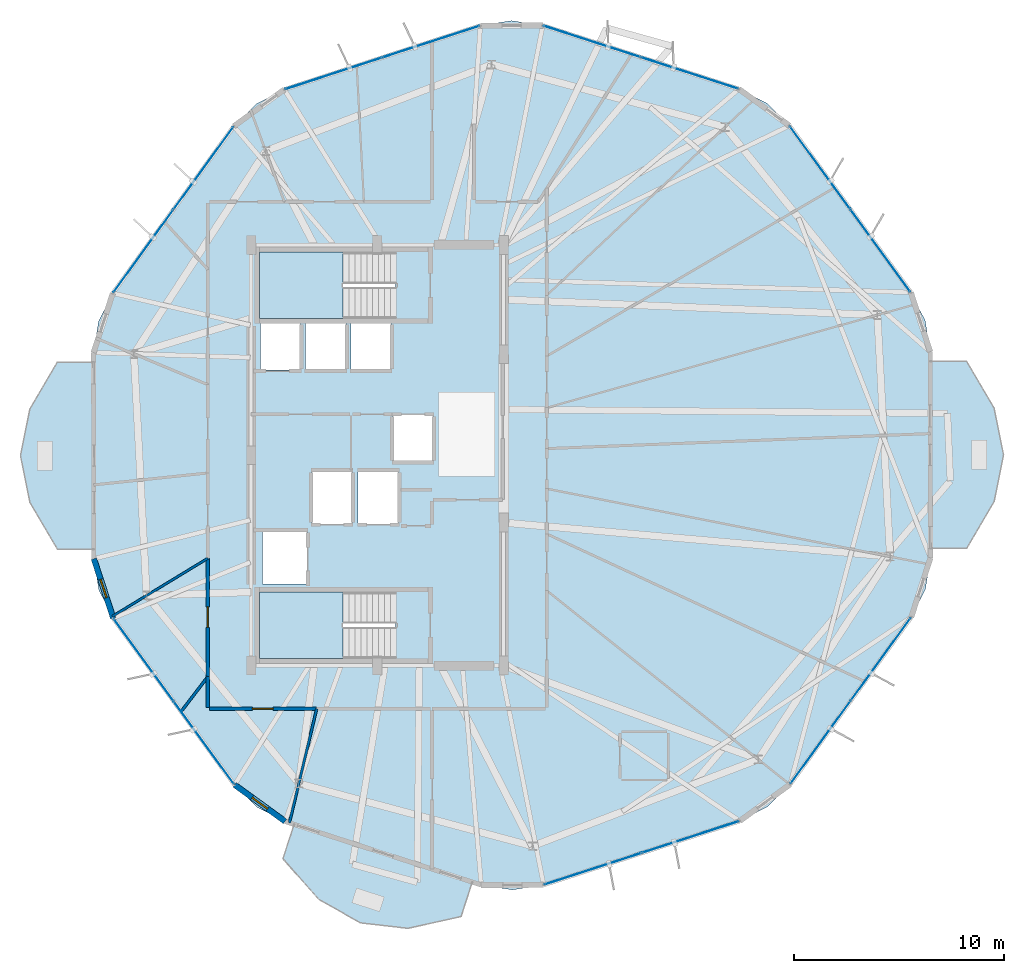
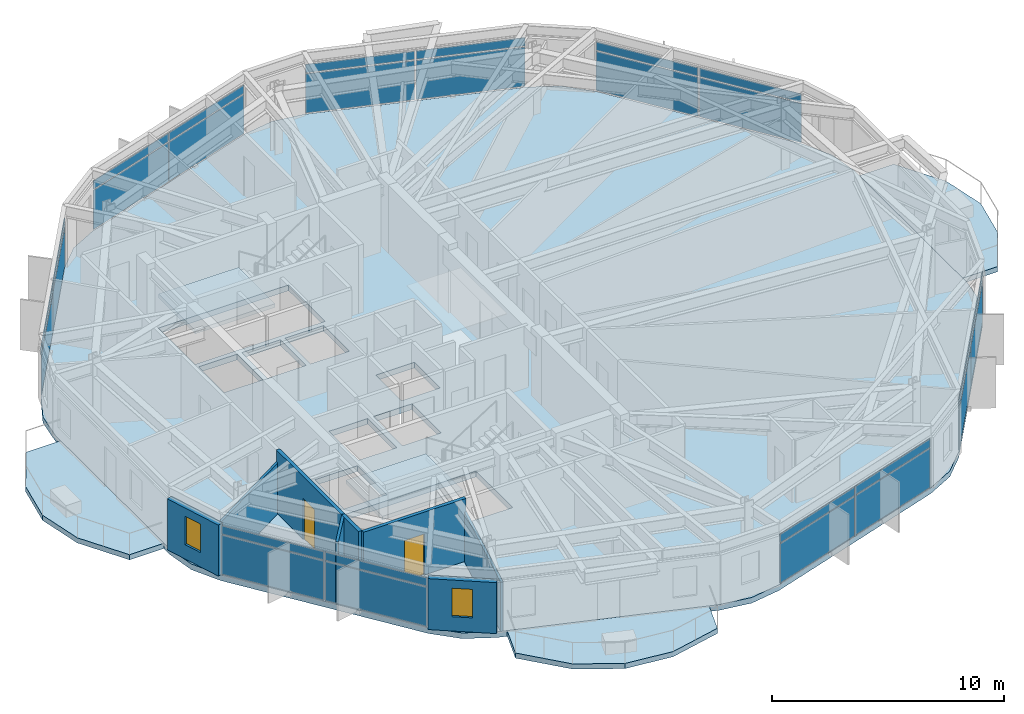
# One storey, part 24 of 31: 28 plates, 8 walls, 6 slabs, 2 doors, 2 windows, 4 openings, 9 elements without a shape of their own.
"""IFC4 building model written with IfcOpenShell, lengths in metres."""

from ifc_helpers import new_model, si_unit, direction, frame, frame_2d, origin, origin_2d, place, context, subcontext, project, spatial, polyline, rectangle, outline, extrude, material, layer, layer_set, type_object, element, fill, aggregate, save


model = new_model("IFC4")

# Units and contexts
model_context = context("Model", 3, precision=1e-05, world=origin(), true_north=direction((0.0, 1.0)))
body_context = subcontext(model_context, "Body", "Model", "MODEL_VIEW")
ifc_project = project(units=[si_unit("LENGTHUNIT", "METRE"), si_unit("AREAUNIT", "SQUARE_METRE"), si_unit("VOLUMEUNIT", "CUBIC_METRE"), si_unit("PLANEANGLEUNIT", "RADIAN"), si_unit("MASSUNIT", "GRAM", prefix="KILO")], contexts=[model_context])

# Site, building, storey
site_placement = place(None, origin())
site = spatial("IfcSite", under=ifc_project, at=site_placement, CompositionType="ELEMENT")
building_placement = place(site_placement, origin())
building = spatial("IfcBuilding", under=site, at=building_placement, Name="Soratama Intermodal Tower", CompositionType="ELEMENT")
storey_placement = place(building_placement, frame((0.0, 0.0, 230.199951171875)))
storey = spatial("IfcBuildingStorey", under=building, at=storey_placement, Name="L58", CompositionType="ELEMENT", Elevation=230.199951171875)

# Curtain wall, plates
ifc_material_1 = material(Name="Double-glazed aluminium curtain wall", Category="aluminium")
ifc_layer_1 = layer(ifc_material_1, 0.159912109375)
ifc_layer_set_1 = layer_set([ifc_layer_1], Name="Double-glazed aluminium curtain wall")
curtain_wall_type = type_object("IfcCurtainWallType", Name="CW-SYS-5", PredefinedType="NOTDEFINED", material=ifc_layer_set_1)
curtain_wall_1_placement = place(storey_placement, origin())
curtain_wall_1 = element("IfcCurtainWall", 1, at=curtain_wall_1_placement, inside=storey, type_object=curtain_wall_type, Name="L58 Faceted Curtain Wall F01", PredefinedType="NOTDEFINED")
ifc_material_2 = material(Name="Low-E laminated double glazing", Category="glass")
ifc_layer_2 = layer(ifc_material_2, 0.02001953125)
ifc_layer_set_2 = layer_set([ifc_layer_2], Name="Low-E laminated double glazing")
plate_type = type_object("IfcPlateType", Name="PT-CWP-5", PredefinedType="CURTAIN_PANEL", material=ifc_layer_set_2)
plate_1_placement = place(storey_placement, frame((53.438720703125, 43.160888671875, 0.06005859375), z_axis=(0.0, 0.0, 1.0), x_axis=(-0.951379173887, 0.308022186692, 0.0)))
plate_1 = element("IfcPlate", 2, at=plate_1_placement, type_object=plate_type, Name="CW-5 panel 1.1", PredefinedType="CURTAIN_PANEL", context=body_context, shape_type="SweptSolid", body=[
    extrude(rectangle(XDim=4.808837890625, YDim=0.028076171875, at=origin_2d()), origin(), (0.0, 0.0, 1.0), 2.06005859375),
])
plate_2_placement = place(storey_placement, frame((53.438720703125, 43.160888671875, 2.18017578125), z_axis=(0.0, 0.0, 1.0), x_axis=(-0.951379173887, 0.308022186692, 0.0)))
plate_2 = element("IfcPlate", 3, at=plate_2_placement, type_object=plate_type, Name="CW-5 panel 1.2", PredefinedType="CURTAIN_PANEL", context=body_context, shape_type="SweptSolid", body=[
    extrude(rectangle(XDim=4.808837890625, YDim=0.028076171875, at=origin_2d()), origin(), (0.0, 0.0, 1.0), 0.43896484375),
])
plate_3_placement = place(storey_placement, frame((48.806396484375, 44.660400390625, 0.06005859375), z_axis=(0.0, 0.0, 1.0), x_axis=(-0.951379173887, 0.308022186692, 0.0)))
plate_3 = element("IfcPlate", 4, at=plate_3_placement, type_object=plate_type, Name="CW-5 panel 2.1", PredefinedType="CURTAIN_PANEL", context=body_context, shape_type="SweptSolid", body=[
    extrude(rectangle(XDim=4.808837890625, YDim=0.028076171875, at=origin_2d()), origin(), (0.0, 0.0, 1.0), 2.06005859375),
])
plate_4_placement = place(storey_placement, frame((48.806396484375, 44.660400390625, 2.18017578125), z_axis=(0.0, 0.0, 1.0), x_axis=(-0.951379173887, 0.308022186692, 0.0)))
plate_4 = element("IfcPlate", 5, at=plate_4_placement, type_object=plate_type, Name="CW-5 panel 2.2", PredefinedType="CURTAIN_PANEL", context=body_context, shape_type="SweptSolid", body=[
    extrude(rectangle(XDim=4.808837890625, YDim=0.028076171875, at=origin_2d()), origin(), (0.0, 0.0, 1.0), 0.43896484375),
])
aggregate(curtain_wall_1, [plate_1, plate_2, plate_3, plate_4])

curtain_wall_2_placement = place(storey_placement, origin())
curtain_wall_2 = element("IfcCurtainWall", 6, at=curtain_wall_2_placement, inside=storey, type_object=curtain_wall_type, Name="L58 Faceted Curtain Wall F02", PredefinedType="NOTDEFINED")
plate_5_placement = place(storey_placement, frame((41.15234375, 44.652587890625, 0.06005859375), z_axis=(0.0, 0.0, 1.0), x_axis=(-0.950731866822, -0.310014382585, 0.0)))
plate_5 = element("IfcPlate", 7, at=plate_5_placement, type_object=plate_type, Name="CW-5 panel 1.1", PredefinedType="CURTAIN_PANEL", context=body_context, shape_type="SweptSolid", body=[
    extrude(rectangle(XDim=4.808837890625, YDim=0.028076171875, at=origin_2d()), origin(), (0.0, 0.0, 1.0), 2.06005859375),
])
plate_6_placement = place(storey_placement, frame((41.15234375, 44.652587890625, 2.18017578125), z_axis=(0.0, 0.0, 1.0), x_axis=(-0.950731866822, -0.310014382585, 0.0)))
plate_6 = element("IfcPlate", 8, at=plate_6_placement, type_object=plate_type, Name="CW-5 panel 1.2", PredefinedType="CURTAIN_PANEL", context=body_context, shape_type="SweptSolid", body=[
    extrude(rectangle(XDim=4.808837890625, YDim=0.028076171875, at=origin_2d()), origin(), (0.0, 0.0, 1.0), 0.43896484375),
])
plate_7_placement = place(storey_placement, frame((36.5234375, 43.14306640625, 0.06005859375), z_axis=(0.0, 0.0, 1.0), x_axis=(-0.950731866822, -0.310014382585, 0.0)))
plate_7 = element("IfcPlate", 9, at=plate_7_placement, type_object=plate_type, Name="CW-5 panel 2.1", PredefinedType="CURTAIN_PANEL", context=body_context, shape_type="SweptSolid", body=[
    extrude(rectangle(XDim=4.808837890625, YDim=0.028076171875, at=origin_2d()), origin(), (0.0, 0.0, 1.0), 2.06005859375),
])
plate_8_placement = place(storey_placement, frame((36.5234375, 43.14306640625, 2.18017578125), z_axis=(0.0, 0.0, 1.0), x_axis=(-0.950731866822, -0.310014382585, 0.0)))
plate_8 = element("IfcPlate", 10, at=plate_8_placement, type_object=plate_type, Name="CW-5 panel 2.2", PredefinedType="CURTAIN_PANEL", context=body_context, shape_type="SweptSolid", body=[
    extrude(rectangle(XDim=4.808837890625, YDim=0.028076171875, at=origin_2d()), origin(), (0.0, 0.0, 1.0), 0.43896484375),
])
aggregate(curtain_wall_2, [plate_5, plate_6, plate_7, plate_8])

curtain_wall_3_placement = place(storey_placement, origin())
curtain_wall_3 = element("IfcCurtainWall", 11, at=curtain_wall_3_placement, inside=storey, type_object=curtain_wall_type, Name="L58 Faceted Curtain Wall F03", PredefinedType="NOTDEFINED")
plate_9_placement = place(storey_placement, frame((30.335693359375, 38.6376953125, 0.06005859375), z_axis=(0.0, 0.0, 1.0), x_axis=(-0.586936629492, -0.80963287542, 0.0)))
plate_9 = element("IfcPlate", 12, at=plate_9_placement, type_object=plate_type, Name="CW-5 panel 1.1", PredefinedType="CURTAIN_PANEL", context=body_context, shape_type="SweptSolid", body=[
    extrude(rectangle(XDim=4.808837890625, YDim=0.028076171875, at=origin_2d()), origin(), (0.0, 0.0, 1.0), 2.06005859375),
])
plate_10_placement = place(storey_placement, frame((30.335693359375, 38.6376953125, 2.18017578125), z_axis=(0.0, 0.0, 1.0), x_axis=(-0.586936629492, -0.80963287542, 0.0)))
plate_10 = element("IfcPlate", 13, at=plate_10_placement, type_object=plate_type, Name="CW-5 panel 1.2", PredefinedType="CURTAIN_PANEL", context=body_context, shape_type="SweptSolid", body=[
    extrude(rectangle(XDim=4.808837890625, YDim=0.028076171875, at=origin_2d()), origin(), (0.0, 0.0, 1.0), 0.43896484375),
])
plate_11_placement = place(storey_placement, frame((27.47802734375, 34.695556640625, 0.06005859375), z_axis=(0.0, 0.0, 1.0), x_axis=(-0.586936629492, -0.80963287542, 0.0)))
plate_11 = element("IfcPlate", 14, at=plate_11_placement, type_object=plate_type, Name="CW-5 panel 2.1", PredefinedType="CURTAIN_PANEL", context=body_context, shape_type="SweptSolid", body=[
    extrude(rectangle(XDim=4.808837890625, YDim=0.028076171875, at=origin_2d()), origin(), (0.0, 0.0, 1.0), 2.06005859375),
])
plate_12_placement = place(storey_placement, frame((27.47802734375, 34.695556640625, 2.18017578125), z_axis=(0.0, 0.0, 1.0), x_axis=(-0.586936629492, -0.80963287542, 0.0)))
plate_12 = element("IfcPlate", 15, at=plate_12_placement, type_object=plate_type, Name="CW-5 panel 2.2", PredefinedType="CURTAIN_PANEL", context=body_context, shape_type="SweptSolid", body=[
    extrude(rectangle(XDim=4.808837890625, YDim=0.028076171875, at=origin_2d()), origin(), (0.0, 0.0, 1.0), 0.43896484375),
])
aggregate(curtain_wall_3, [plate_9, plate_10, plate_11, plate_12])

curtain_wall_4_placement = place(storey_placement, origin())
curtain_wall_4 = element("IfcCurtainWall", 16, at=curtain_wall_4_placement, inside=storey, type_object=curtain_wall_type, Name="L58 Faceted Curtain Wall F05", PredefinedType="NOTDEFINED")
plate_13_placement = place(storey_placement, frame((27.498291015625, 15.267578125, 0.06005859375), z_axis=(0.0, 0.0, 1.0), x_axis=(0.588639498323, -0.808395658706, 0.0)))
plate_13 = element("IfcPlate", 17, at=plate_13_placement, type_object=plate_type, Name="CW-5 panel 1.1", PredefinedType="CURTAIN_PANEL", context=body_context, shape_type="SweptSolid", body=[
    extrude(rectangle(XDim=4.808837890625, YDim=0.028076171875, at=origin_2d()), origin(), (0.0, 0.0, 1.0), 2.06005859375),
])
plate_14_placement = place(storey_placement, frame((27.498291015625, 15.267578125, 2.18017578125), z_axis=(0.0, 0.0, 1.0), x_axis=(0.588639498323, -0.808395658706, 0.0)))
plate_14 = element("IfcPlate", 18, at=plate_14_placement, type_object=plate_type, Name="CW-5 panel 1.2", PredefinedType="CURTAIN_PANEL", context=body_context, shape_type="SweptSolid", body=[
    extrude(rectangle(XDim=4.808837890625, YDim=0.028076171875, at=origin_2d()), origin(), (0.0, 0.0, 1.0), 0.43896484375),
])
plate_15_placement = place(storey_placement, frame((30.3642578125, 11.331787109375, 0.06005859375), z_axis=(0.0, 0.0, 1.0), x_axis=(0.588639498323, -0.808395658706, 0.0)))
plate_15 = element("IfcPlate", 19, at=plate_15_placement, type_object=plate_type, Name="CW-5 panel 2.1", PredefinedType="CURTAIN_PANEL", context=body_context, shape_type="SweptSolid", body=[
    extrude(rectangle(XDim=4.808837890625, YDim=0.028076171875, at=origin_2d()), origin(), (0.0, 0.0, 1.0), 2.06005859375),
])
plate_16_placement = place(storey_placement, frame((30.3642578125, 11.331787109375, 2.18017578125), z_axis=(0.0, 0.0, 1.0), x_axis=(0.588639498323, -0.808395658706, 0.0)))
plate_16 = element("IfcPlate", 20, at=plate_16_placement, type_object=plate_type, Name="CW-5 panel 2.2", PredefinedType="CURTAIN_PANEL", context=body_context, shape_type="SweptSolid", body=[
    extrude(rectangle(XDim=4.808837890625, YDim=0.028076171875, at=origin_2d()), origin(), (0.0, 0.0, 1.0), 0.43896484375),
])
aggregate(curtain_wall_4, [plate_13, plate_14, plate_15, plate_16])

curtain_wall_5_placement = place(storey_placement, origin())
curtain_wall_5 = element("IfcCurtainWall", 21, at=curtain_wall_5_placement, inside=storey, type_object=curtain_wall_type, Name="L58 Faceted Curtain Wall F07", PredefinedType="NOTDEFINED")
plate_17_placement = place(storey_placement, frame((48.84765625, 5.347412109375, 0.06005859375), z_axis=(0.0, 0.0, 1.0), x_axis=(0.950731866822, 0.310014382585, 0.0)))
plate_17 = element("IfcPlate", 22, at=plate_17_placement, type_object=plate_type, Name="CW-5 panel 1.1", PredefinedType="CURTAIN_PANEL", context=body_context, shape_type="SweptSolid", body=[
    extrude(rectangle(XDim=4.808837890625, YDim=0.028076171875, at=origin_2d()), origin(), (0.0, 0.0, 1.0), 2.06005859375),
])
plate_18_placement = place(storey_placement, frame((48.84765625, 5.347412109375, 2.18017578125), z_axis=(0.0, 0.0, 1.0), x_axis=(0.950731866822, 0.310014382585, 0.0)))
plate_18 = element("IfcPlate", 23, at=plate_18_placement, type_object=plate_type, Name="CW-5 panel 1.2", PredefinedType="CURTAIN_PANEL", context=body_context, shape_type="SweptSolid", body=[
    extrude(rectangle(XDim=4.808837890625, YDim=0.028076171875, at=origin_2d()), origin(), (0.0, 0.0, 1.0), 0.43896484375),
])
plate_19_placement = place(storey_placement, frame((53.4765625, 6.85693359375, 0.06005859375), z_axis=(0.0, 0.0, 1.0), x_axis=(0.950731866822, 0.310014382585, 0.0)))
plate_19 = element("IfcPlate", 24, at=plate_19_placement, type_object=plate_type, Name="CW-5 panel 2.1", PredefinedType="CURTAIN_PANEL", context=body_context, shape_type="SweptSolid", body=[
    extrude(rectangle(XDim=4.808837890625, YDim=0.028076171875, at=origin_2d()), origin(), (0.0, 0.0, 1.0), 2.06005859375),
])
plate_20_placement = place(storey_placement, frame((53.4765625, 6.85693359375, 2.18017578125), z_axis=(0.0, 0.0, 1.0), x_axis=(0.950731866822, 0.310014382585, 0.0)))
plate_20 = element("IfcPlate", 25, at=plate_20_placement, type_object=plate_type, Name="CW-5 panel 2.2", PredefinedType="CURTAIN_PANEL", context=body_context, shape_type="SweptSolid", body=[
    extrude(rectangle(XDim=4.808837890625, YDim=0.028076171875, at=origin_2d()), origin(), (0.0, 0.0, 1.0), 0.43896484375),
])
aggregate(curtain_wall_5, [plate_17, plate_18, plate_19, plate_20])

curtain_wall_6_placement = place(storey_placement, origin())
curtain_wall_6 = element("IfcCurtainWall", 26, at=curtain_wall_6_placement, inside=storey, type_object=curtain_wall_type, Name="L58 Faceted Curtain Wall F08", PredefinedType="NOTDEFINED")
plate_21_placement = place(storey_placement, frame((59.664306640625, 11.3623046875, 0.06005859375), z_axis=(0.0, 0.0, 1.0), x_axis=(0.586936629492, 0.80963287542, 0.0)))
plate_21 = element("IfcPlate", 27, at=plate_21_placement, type_object=plate_type, Name="CW-5 panel 1.1", PredefinedType="CURTAIN_PANEL", context=body_context, shape_type="SweptSolid", body=[
    extrude(rectangle(XDim=4.808837890625, YDim=0.028076171875, at=origin_2d()), origin(), (0.0, 0.0, 1.0), 2.06005859375),
])
plate_22_placement = place(storey_placement, frame((59.664306640625, 11.3623046875, 2.18017578125), z_axis=(0.0, 0.0, 1.0), x_axis=(0.586936629492, 0.80963287542, 0.0)))
plate_22 = element("IfcPlate", 28, at=plate_22_placement, type_object=plate_type, Name="CW-5 panel 1.2", PredefinedType="CURTAIN_PANEL", context=body_context, shape_type="SweptSolid", body=[
    extrude(rectangle(XDim=4.808837890625, YDim=0.028076171875, at=origin_2d()), origin(), (0.0, 0.0, 1.0), 0.43896484375),
])
plate_23_placement = place(storey_placement, frame((62.52197265625, 15.304443359375, 0.06005859375), z_axis=(0.0, 0.0, 1.0), x_axis=(0.586936629492, 0.80963287542, 0.0)))
plate_23 = element("IfcPlate", 29, at=plate_23_placement, type_object=plate_type, Name="CW-5 panel 2.1", PredefinedType="CURTAIN_PANEL", context=body_context, shape_type="SweptSolid", body=[
    extrude(rectangle(XDim=4.808837890625, YDim=0.028076171875, at=origin_2d()), origin(), (0.0, 0.0, 1.0), 2.06005859375),
])
plate_24_placement = place(storey_placement, frame((62.52197265625, 15.304443359375, 2.18017578125), z_axis=(0.0, 0.0, 1.0), x_axis=(0.586936629492, 0.80963287542, 0.0)))
plate_24 = element("IfcPlate", 30, at=plate_24_placement, type_object=plate_type, Name="CW-5 panel 2.2", PredefinedType="CURTAIN_PANEL", context=body_context, shape_type="SweptSolid", body=[
    extrude(rectangle(XDim=4.808837890625, YDim=0.028076171875, at=origin_2d()), origin(), (0.0, 0.0, 1.0), 0.43896484375),
])
aggregate(curtain_wall_6, [plate_21, plate_22, plate_23, plate_24])

curtain_wall_7_placement = place(storey_placement, origin())
curtain_wall_7 = element("IfcCurtainWall", 31, at=curtain_wall_7_placement, inside=storey, type_object=curtain_wall_type, Name="L58 Faceted Curtain Wall F10", PredefinedType="NOTDEFINED")
plate_25_placement = place(storey_placement, frame((62.501708984375, 34.732421875, 0.06005859375), z_axis=(0.0, 0.0, 1.0), x_axis=(-0.588639498323, 0.808395658706, 0.0)))
plate_25 = element("IfcPlate", 32, at=plate_25_placement, type_object=plate_type, Name="CW-5 panel 1.1", PredefinedType="CURTAIN_PANEL", context=body_context, shape_type="SweptSolid", body=[
    extrude(rectangle(XDim=4.808837890625, YDim=0.028076171875, at=origin_2d()), origin(), (0.0, 0.0, 1.0), 2.06005859375),
])
plate_26_placement = place(storey_placement, frame((62.501708984375, 34.732421875, 2.18017578125), z_axis=(0.0, 0.0, 1.0), x_axis=(-0.588639498323, 0.808395658706, 0.0)))
plate_26 = element("IfcPlate", 33, at=plate_26_placement, type_object=plate_type, Name="CW-5 panel 1.2", PredefinedType="CURTAIN_PANEL", context=body_context, shape_type="SweptSolid", body=[
    extrude(rectangle(XDim=4.808837890625, YDim=0.028076171875, at=origin_2d()), origin(), (0.0, 0.0, 1.0), 0.43896484375),
])
plate_27_placement = place(storey_placement, frame((59.6357421875, 38.668212890625, 0.06005859375), z_axis=(0.0, 0.0, 1.0), x_axis=(-0.588639498323, 0.808395658706, 0.0)))
plate_27 = element("IfcPlate", 34, at=plate_27_placement, type_object=plate_type, Name="CW-5 panel 2.1", PredefinedType="CURTAIN_PANEL", context=body_context, shape_type="SweptSolid", body=[
    extrude(rectangle(XDim=4.808837890625, YDim=0.028076171875, at=origin_2d()), origin(), (0.0, 0.0, 1.0), 2.06005859375),
])
plate_28_placement = place(storey_placement, frame((59.6357421875, 38.668212890625, 2.18017578125), z_axis=(0.0, 0.0, 1.0), x_axis=(-0.588639498323, 0.808395658706, 0.0)))
plate_28 = element("IfcPlate", 35, at=plate_28_placement, type_object=plate_type, Name="CW-5 panel 2.2", PredefinedType="CURTAIN_PANEL", context=body_context, shape_type="SweptSolid", body=[
    extrude(rectangle(XDim=4.808837890625, YDim=0.028076171875, at=origin_2d()), origin(), (0.0, 0.0, 1.0), 0.43896484375),
])
aggregate(curtain_wall_7, [plate_25, plate_26, plate_27, plate_28])

# Slabs
ifc_material_3 = material(Name="Concrete f'c 42 MPa", Category="concrete")
ifc_layer_3 = layer(ifc_material_3, 0.27001953125)
ifc_layer_set_3 = layer_set([ifc_layer_3], Name="Concrete f'c 42 MPa")
slab_type_1 = type_object("IfcSlabType", Name="SL-EXT-BAL1", PredefinedType="FLOOR", material=ifc_layer_set_3)
slab_1_placement = place(storey_placement, frame((0.0, 0.0, -0.27001953125)))
element("IfcSlab", 36, at=slab_1_placement, inside=storey, type_object=slab_type_1, Name="L58 Planted Balcony East 1", PredefinedType="FLOOR", context=body_context, shape_type="SweptSolid", body=[
    extrude(outline(polyline([(64.881591796875, 20.572021484375), (64.872314453125, 29.4697265625), (66.59228515625, 29.471435546875), (67.905517578125, 27.24853515625), (68.35693359375, 25.0244140625), (67.910400390625, 22.799560546875), (66.601806640625, 20.57373046875), (64.881591796875, 20.572021484375)])), origin(), (0.0, 0.0, 1.0), 0.27001953125),
])
slab_2_placement = place(storey_placement, frame((0.0, 0.0, -0.27001953125)))
element("IfcSlab", 37, at=slab_2_placement, inside=storey, type_object=slab_type_1, Name="L58 Planted Balcony West 2", PredefinedType="FLOOR", context=body_context, shape_type="SweptSolid", body=[
    extrude(outline(polyline([(25.118408203125, 29.427978515625), (25.127685546875, 20.5302734375), (23.40771484375, 20.528564453125), (22.094482421875, 22.75146484375), (21.64306640625, 24.9755859375), (22.089599609375, 27.200439453125), (23.398193359375, 29.42626953125), (25.118408203125, 29.427978515625)])), origin(), (0.0, 0.0, 1.0), 0.27001953125),
])
slab_3_placement = place(storey_placement, frame((0.0, 0.0, -0.27001953125)))
element("IfcSlab", 38, at=slab_3_placement, inside=storey, type_object=slab_type_1, Name="L58 Planted Balcony South 3", PredefinedType="FLOOR", context=body_context, shape_type="SweptSolid", body=[
    extrude(outline(polyline([(34.64501953125, 7.459716796875), (43.110107421875, 4.718994140625), (42.580078125, 3.08251953125), (40.06005859375, 2.5205078125), (37.805419921875, 2.778564453125), (35.82763671875, 3.89111328125), (34.114990234375, 5.8232421875), (34.64501953125, 7.459716796875)])), origin(), (0.0, 0.0, 1.0), 0.27001953125),
])

# Stair, slab
ifc_material_4 = material(Name="Concrete f'c 42 MPa", Category="concrete")
stair_type = type_object("IfcStairType", Name="ST-CORE-DOGLEG", PredefinedType="HALF_TURN_STAIR", material=ifc_material_4)
stair_1_placement = place(storey_placement, origin())
stair_1 = element("IfcStair", 39, at=stair_1_placement, inside=storey, type_object=stair_type, Name="L58 ST-1", PredefinedType="HALF_TURN_STAIR")
ifc_material_5 = material(Name="Concrete f'c 42 MPa", Category="concrete")
ifc_layer_4 = layer(ifc_material_5, 0.219970703125)
ifc_layer_set_4 = layer_set([ifc_layer_4], Name="Concrete f'c 42 MPa")
slab_type_2 = type_object("IfcSlabType", Name="SL-STAIR-LAND", PredefinedType="LANDING", material=ifc_layer_set_4)
slab_4_placement = place(storey_placement, frame((0.0, 0.0, 1.60009765625)))
slab_4 = element("IfcSlab", 40, at=slab_4_placement, type_object=slab_type_2, Name="ST-1 landing 1", PredefinedType="LANDING", context=body_context, shape_type="SweptSolid", body=[
    extrude(outline(polyline([(36.97998046875, 18.5), (33.0, 18.5), (33.0, 15.35009765625), (36.97998046875, 15.35009765625), (36.97998046875, 18.5)])), origin(), (0.0, 0.0, 1.0), 0.199951171875),
])
aggregate(stair_1, [slab_4])

stair_2_placement = place(storey_placement, origin())
stair_2 = element("IfcStair", 41, at=stair_2_placement, inside=storey, type_object=stair_type, Name="L58 ST-2", PredefinedType="HALF_TURN_STAIR")
slab_5_placement = place(storey_placement, frame((0.0, 0.0, 1.60009765625)))
slab_5 = element("IfcSlab", 42, at=slab_5_placement, type_object=slab_type_2, Name="ST-2 landing 1", PredefinedType="LANDING", context=body_context, shape_type="SweptSolid", body=[
    extrude(outline(polyline([(36.97998046875, 34.64990234375), (33.0, 34.64990234375), (33.0, 31.5), (36.97998046875, 31.5), (36.97998046875, 34.64990234375)])), origin(), (0.0, 0.0, 1.0), 0.199951171875),
])
aggregate(stair_2, [slab_5])

# Slab
ifc_material_6 = material(Name="Concrete f'c 42 MPa", Category="concrete")
ifc_layer_5 = layer(ifc_material_6, 0.280029296875)
ifc_layer_set_5 = layer_set([ifc_layer_5], Name="Concrete f'c 42 MPa")
slab_type_3 = type_object("IfcSlabType", Name="SL-TWR-280", PredefinedType="FLOOR", material=ifc_layer_set_5)
slab_6_placement = place(storey_placement, frame((0.0, 0.0, -0.300048828125)))
element("IfcSlab", 43, at=slab_6_placement, inside=storey, type_object=slab_type_3, Name="L58 Structural Floor Slab", PredefinedType="FLOOR", context=body_context, shape_type="SweptSolid", body=[
    extrude(outline(polyline([(58.18505859375, 40.660400390625), (57.1220703125, 41.72119140625), (55.783203125, 42.401611328125), (46.4619140625, 45.419677734375), (44.978515625, 45.653076171875), (43.495361328125, 45.41650390625), (34.180419921875, 42.379150390625), (32.843017578125, 41.69580078125), (31.7822265625, 40.6328125), (26.031494140625, 32.700439453125), (25.351318359375, 31.361572265625), (25.117919921875, 29.8779296875), (25.128173828125, 20.080322265625), (25.364501953125, 18.597412109375), (26.047607421875, 17.260009765625), (31.81494140625, 9.339599609375), (32.8779296875, 8.27880859375), (34.216796875, 7.598388671875), (43.5380859375, 4.580322265625), (45.021484375, 4.346923828125), (46.504638671875, 4.58349609375), (55.819580078125, 7.620849609375), (57.156982421875, 8.30419921875), (58.2177734375, 9.3671875), (63.968505859375, 17.299560546875), (64.648681640625, 18.638427734375), (64.882080078125, 20.1220703125), (64.871826171875, 29.919677734375), (64.635498046875, 31.402587890625), (63.952392578125, 32.739990234375), (58.18505859375, 40.660400390625)]), holes=[polyline([(33.0, 18.5), (33.0, 15.35009765625), (39.47509765625, 15.35009765625), (39.47509765625, 18.5), (33.0, 18.5)]), polyline([(35.260009765625, 21.409912109375), (33.139892578125, 21.409912109375), (33.139892578125, 18.889892578125), (35.260009765625, 18.889892578125), (35.260009765625, 21.409912109375)]), polyline([(37.409912109375, 24.260009765625), (35.489990234375, 24.260009765625), (35.489990234375, 21.739990234375), (37.409912109375, 21.739990234375), (37.409912109375, 24.260009765625)]), polyline([(39.610107421875, 24.260009765625), (37.68994140625, 24.260009765625), (37.68994140625, 21.739990234375), (39.610107421875, 21.739990234375), (39.610107421875, 24.260009765625)]), polyline([(41.260009765625, 26.909912109375), (39.340087890625, 26.909912109375), (39.340087890625, 24.68994140625), (41.260009765625, 24.68994140625), (41.260009765625, 26.909912109375)]), polyline([(34.9599609375, 31.260009765625), (33.0400390625, 31.260009765625), (33.0400390625, 29.0400390625), (34.9599609375, 29.0400390625), (34.9599609375, 31.260009765625)]), polyline([(37.110107421875, 31.260009765625), (35.18994140625, 31.260009765625), (35.18994140625, 29.0400390625), (37.110107421875, 29.0400390625), (37.110107421875, 31.260009765625)]), polyline([(39.260009765625, 29.0400390625), (39.260009765625, 31.260009765625), (37.340087890625, 31.260009765625), (37.340087890625, 29.0400390625), (39.260009765625, 29.0400390625)]), polyline([(39.47509765625, 34.64990234375), (33.0, 34.64990234375), (33.0, 31.5), (39.47509765625, 31.5), (39.47509765625, 34.64990234375)])]), origin(), (0.0, 0.0, 1.0), 0.300048828125),
])

# Wall, opening, window
ifc_material_7 = material(Name="Concrete f'c 42 MPa", Category="concrete")
ifc_layer_6 = layer(ifc_material_7, 0.27001953125)
ifc_layer_set_6 = layer_set([ifc_layer_6], Name="Concrete f'c 42 MPa")
wall_type_1 = type_object("IfcWallType", Name="EW-CRN-270", PredefinedType="SOLIDWALL", material=ifc_layer_set_6)
wall_1_placement = place(storey_placement, frame((25.128173828125, 20.080322265625, 0.0), z_axis=(0.0, 0.0, 1.0), x_axis=(0.309949441634, -0.950753040295, 0.0)))
wall_1 = element("IfcWall", 44, at=wall_1_placement, inside=storey, type_object=wall_type_1, Name="L58 Corner Closure Wall 04", PredefinedType="SOLIDWALL", context=body_context, shape_type="SweptSolid", body=[
    extrude(rectangle(XDim=2.96630859375, YDim=0.27001953125, at=frame_2d((1.483154296875, 0.0))), origin(), (0.0, 0.0, 1.0), 2.678955078125),
])
opening_1_placement = place(wall_1_placement, frame((1.033203125, 0.0, 0.75)))
opening_1 = element("IfcOpeningElement", 45, at=opening_1_placement, cuts=wall_1, Name="Opening WN-6", PredefinedType="OPENING", context=body_context, shape_type="SweptSolid", body=[
    extrude(rectangle(XDim=0.89990234375, YDim=1.5, at=frame_2d((0.449951171875, 0.75))), frame((0.0, 0.14501953125, 0.0), z_axis=(0.0, -1.0, 0.0), x_axis=(1.0, 0.0, 0.0)), (0.0, 0.0, 1.0), 0.2900390625),
])
ifc_material_8 = material(Name="Double-glazed aluminium window", Category="aluminium")
window_type = type_object("IfcWindowType", Name="WN-FAC-900", PartitioningType="SINGLE_PANEL", PredefinedType="WINDOW", material=ifc_material_8)
window_1_placement = place(opening_1_placement, origin())
window_1 = element("IfcWindow", 46, at=window_1_placement, inside=storey, type_object=window_type, Name="L58 Corner Window 04", OverallHeight=1.5, OverallWidth=0.89990234375, PartitioningType="SINGLE_PANEL", PredefinedType="WINDOW", context=body_context, shape_type="SweptSolid", body=[
    extrude(rectangle(XDim=0.89990234375, YDim=1.5, at=frame_2d((0.449951171875, 0.75))), frame((0.0, 0.030029296875, 0.0), z_axis=(0.0, -1.0, 0.0), x_axis=(1.0, 0.0, 0.0)), (0.0, 0.0, 1.0), 0.06005859375),
])
fill(opening_1, window_1)

wall_2_placement = place(storey_placement, frame((31.81494140625, 9.339599609375, 0.0), z_axis=(0.0, 0.0, 1.0), x_axis=(0.809631952519, -0.586937902558, 0.0)))
wall_2 = element("IfcWall", 47, at=wall_2_placement, inside=storey, type_object=wall_type_1, Name="L58 Corner Closure Wall 05", PredefinedType="SOLIDWALL", context=body_context, shape_type="SweptSolid", body=[
    extrude(rectangle(XDim=2.966552734375, YDim=0.27001953125, at=frame_2d((1.4833984375, 0.0))), origin(), (0.0, 0.0, 1.0), 2.678955078125),
])
opening_2_placement = place(wall_2_placement, frame((1.033203125, 0.0, 0.75)))
opening_2 = element("IfcOpeningElement", 48, at=opening_2_placement, cuts=wall_2, Name="Opening WN-6", PredefinedType="OPENING", context=body_context, shape_type="SweptSolid", body=[
    extrude(rectangle(XDim=0.89990234375, YDim=1.5, at=frame_2d((0.449951171875, 0.75))), frame((0.0, 0.14501953125, 0.0), z_axis=(0.0, -1.0, 0.0), x_axis=(1.0, 0.0, 0.0)), (0.0, 0.0, 1.0), 0.2900390625),
])
window_2_placement = place(opening_2_placement, origin())
window_2 = element("IfcWindow", 49, at=window_2_placement, inside=storey, type_object=window_type, Name="L58 Corner Window 05", OverallHeight=1.5, OverallWidth=0.89990234375, PartitioningType="SINGLE_PANEL", PredefinedType="WINDOW", context=body_context, shape_type="SweptSolid", body=[
    extrude(rectangle(XDim=0.89990234375, YDim=1.5, at=frame_2d((0.449951171875, 0.75))), frame((0.0, 0.030029296875, 0.0), z_axis=(0.0, -1.0, 0.0), x_axis=(1.0, 0.0, 0.0)), (0.0, 0.0, 1.0), 0.06005859375),
])
fill(opening_2, window_2)

# Wall, opening, door
ifc_material_9 = material(Name="Fire-rated gypsum stud partition", Category="concrete")
ifc_layer_7 = layer(ifc_material_9, 0.169921875)
ifc_layer_set_7 = layer_set([ifc_layer_7], Name="Fire-rated gypsum stud partition")
wall_type_2 = type_object("IfcWallType", Name="IW-PART-R170", PredefinedType="PARTITIONING", material=ifc_layer_set_7)
wall_3_placement = place(storey_placement, frame((30.550048828125, 14.485107421875, 0.0), z_axis=(0.0, 0.0, 1.0), x_axis=(0.0, 1.0, 0.0)))
wall_3 = element("IfcWall", 50, at=wall_3_placement, inside=storey, type_object=wall_type_2, Name="L58 Partition W-L58-TP014", PredefinedType="PARTITIONING", context=body_context, shape_type="SweptSolid", body=[
    extrude(rectangle(XDim=5.620849609375, YDim=0.169921875, at=frame_2d((2.810546875, 0.0))), origin(), (0.0, 0.0, 1.0), 3.300048828125),
])
opening_3_placement = place(wall_3_placement, frame((2.3359375, 0.0, 0.0)))
opening_3 = element("IfcOpeningElement", 51, at=opening_3_placement, cuts=wall_3, Name="Opening ID-5", PredefinedType="OPENING", context=body_context, shape_type="SweptSolid", body=[
    extrude(rectangle(XDim=0.97998046875, YDim=2.14990234375, at=frame_2d((0.489990234375, 1.074951171875))), frame((0.0, 0.094970703125, 0.0), z_axis=(0.0, -1.0, 0.0), x_axis=(1.0, 0.0, 0.0)), (0.0, 0.0, 1.0), 0.18994140625),
])
ifc_material_10 = material(Name="Solid hardwood acoustic door", Category="wood")
door_type = type_object("IfcDoorType", Name="DR-OFF-980", OperationType="NOTDEFINED", PredefinedType="DOOR", material=ifc_material_10)
door_1_placement = place(opening_3_placement, origin())
door_1 = element("IfcDoor", 52, at=door_1_placement, inside=storey, type_object=door_type, Name="L58 Door D-L58-TP004", OperationType="SINGLE_SWING_LEFT", OverallHeight=2.14990234375, OverallWidth=0.97998046875, PredefinedType="DOOR", context=body_context, shape_type="SweptSolid", body=[
    extrude(rectangle(XDim=0.97998046875, YDim=2.14990234375, at=frame_2d((0.489990234375, 1.074951171875))), frame((0.0, 0.02490234375, 0.0), z_axis=(0.0, -1.0, 0.0), x_axis=(1.0, 0.0, 0.0)), (0.0, 0.0, 1.0), 0.050048828125),
])
fill(opening_3, door_1)

wall_4_placement = place(storey_placement, frame((35.718994140625, 12.949951171875, 0.0), z_axis=(0.0, 0.0, 1.0), x_axis=(-1.0, 0.0, 0.0)))
wall_4 = element("IfcWall", 53, at=wall_4_placement, inside=storey, type_object=wall_type_2, Name="L58 Partition W-L58-TP022", PredefinedType="PARTITIONING", context=body_context, shape_type="SweptSolid", body=[
    extrude(rectangle(XDim=5.098876953125, YDim=0.169921875, at=frame_2d((2.54931640625, 0.0))), origin(), (0.0, 0.0, 1.0), 3.300048828125),
])
opening_4_placement = place(wall_4_placement, frame((2.074951171875, 0.0, 0.0)))
opening_4 = element("IfcOpeningElement", 54, at=opening_4_placement, cuts=wall_4, Name="Opening ID-5", PredefinedType="OPENING", context=body_context, shape_type="SweptSolid", body=[
    extrude(rectangle(XDim=0.97998046875, YDim=2.14990234375, at=frame_2d((0.489990234375, 1.074951171875))), frame((0.0, 0.094970703125, 0.0), z_axis=(0.0, -1.0, 0.0), x_axis=(1.0, 0.0, 0.0)), (0.0, 0.0, 1.0), 0.18994140625),
])
door_2_placement = place(opening_4_placement, origin())
door_2 = element("IfcDoor", 55, at=door_2_placement, inside=storey, type_object=door_type, Name="L58 Door D-L58-TP007", OperationType="SINGLE_SWING_RIGHT", OverallHeight=2.14990234375, OverallWidth=0.97998046875, PredefinedType="DOOR", context=body_context, shape_type="SweptSolid", body=[
    extrude(rectangle(XDim=0.97998046875, YDim=2.14990234375, at=frame_2d((0.489990234375, 1.074951171875))), frame((0.0, 0.02490234375, 0.0), z_axis=(0.0, -1.0, 0.0), x_axis=(1.0, 0.0, 0.0)), (0.0, 0.0, 1.0), 0.050048828125),
])
fill(opening_4, door_2)

# Walls
wall_5_placement = place(storey_placement, frame((30.550048828125, 13.02001953125, 0.0), z_axis=(0.0, 0.0, 1.0), x_axis=(0.0, 1.0, 0.0)))
element("IfcWall", 56, at=wall_5_placement, inside=storey, type_object=wall_type_2, Name="L58 Partition W-L58-TP048", PredefinedType="PARTITIONING", context=body_context, shape_type="SweptSolid", body=[
    extrude(rectangle(XDim=1.465087890625, YDim=0.169921875, at=frame_2d((0.732421875, 0.0))), origin(), (0.0, 0.0, 1.0), 3.300048828125),
])
ifc_material_11 = material(Name="Fire-rated gypsum stud partition", Category="concrete")
ifc_layer_8 = layer(ifc_material_11, 0.110107421875)
ifc_layer_set_8 = layer_set([ifc_layer_8], Name="Fire-rated gypsum stud partition")
wall_type_3 = type_object("IfcWallType", Name="IW-PART-S110", PredefinedType="PARTITIONING", material=ifc_layer_set_8)
wall_6_placement = place(storey_placement, frame((30.550048828125, 20.10595703125, 0.0), z_axis=(0.0, 0.0, 1.0), x_axis=(-0.854505962671, -0.519441584549, 0.0)))
element("IfcWall", 57, at=wall_6_placement, inside=storey, type_object=wall_type_3, Name="L58 Partition W-L58-TP021", PredefinedType="PARTITIONING", context=body_context, shape_type="SweptSolid", body=[
    extrude(rectangle(XDim=5.319091796875, YDim=0.110107421875, at=frame_2d((2.65966796875, 0.0))), origin(), (0.0, 0.0, 1.0), 2.677978515625),
])
ifc_material_12 = material(Name="Fire-rated gypsum stud partition", Category="concrete")
ifc_layer_9 = layer(ifc_material_12, 0.1201171875)
ifc_layer_set_9 = layer_set([ifc_layer_9], Name="Fire-rated gypsum stud partition")
wall_type_4 = type_object("IfcWallType", Name="IW-PART-S120", PredefinedType="PARTITIONING", material=ifc_layer_set_9)
wall_7_placement = place(storey_placement, frame((35.718994140625, 12.949951171875, 0.0), z_axis=(0.0, 0.0, 1.0), x_axis=(-0.232623679373, -0.972566822277, 0.0)))
element("IfcWall", 58, at=wall_7_placement, inside=storey, type_object=wall_type_4, Name="L58 Partition W-L58-TP015", PredefinedType="PARTITIONING", context=body_context, shape_type="SweptSolid", body=[
    extrude(rectangle(XDim=5.57080078125, YDim=0.1201171875, at=frame_2d((2.785400390625, 0.0))), origin(), (0.0, 0.0, 1.0), 2.594970703125),
])
ifc_material_13 = material(Name="Fire-rated gypsum stud partition", Category="concrete")
ifc_layer_10 = layer(ifc_material_13, 0.1298828125)
ifc_layer_set_10 = layer_set([ifc_layer_10], Name="Fire-rated gypsum stud partition")
wall_type_5 = type_object("IfcWallType", Name="IW-PART-S130", PredefinedType="PARTITIONING", material=ifc_layer_set_10)
wall_8_placement = place(storey_placement, frame((30.550048828125, 14.485107421875, 0.0), z_axis=(0.0, 0.0, 1.0), x_axis=(-0.607735830279, -0.794139257684, 0.0)))
element("IfcWall", 59, at=wall_8_placement, inside=storey, type_object=wall_type_5, Name="L58 Partition W-L58-TP044", PredefinedType="PARTITIONING", context=body_context, shape_type="SweptSolid", body=[
    extrude(rectangle(XDim=2.093017578125, YDim=0.1298828125, at=frame_2d((1.04638671875, 0.0))), origin(), (0.0, 0.0, 1.0), 3.300048828125),
])

save(model, "model.ifc")
